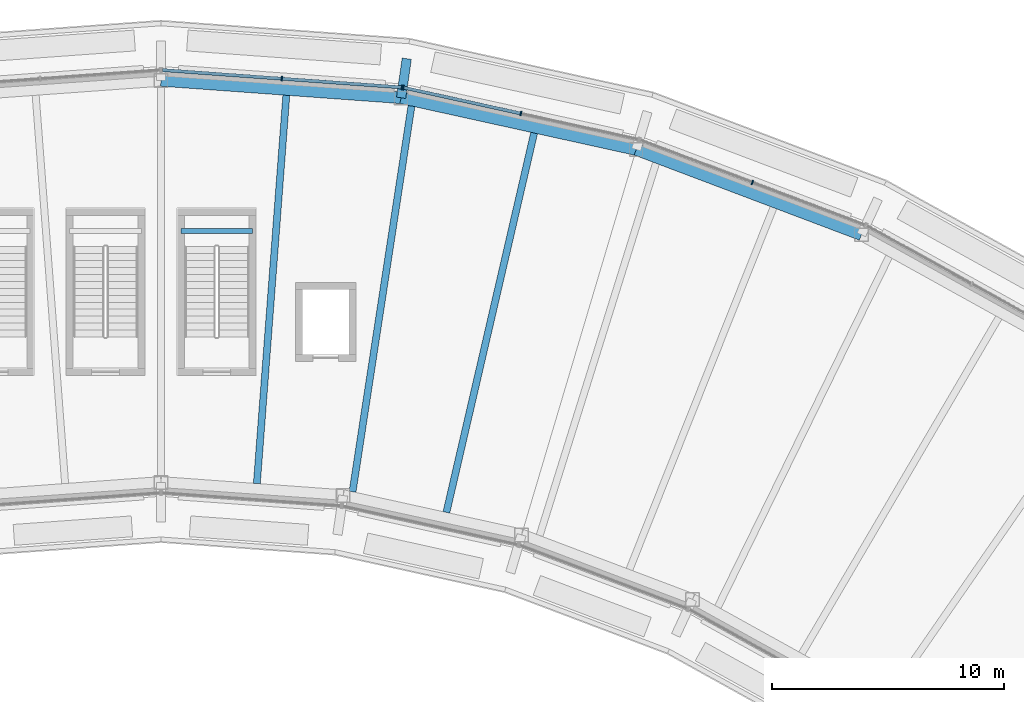
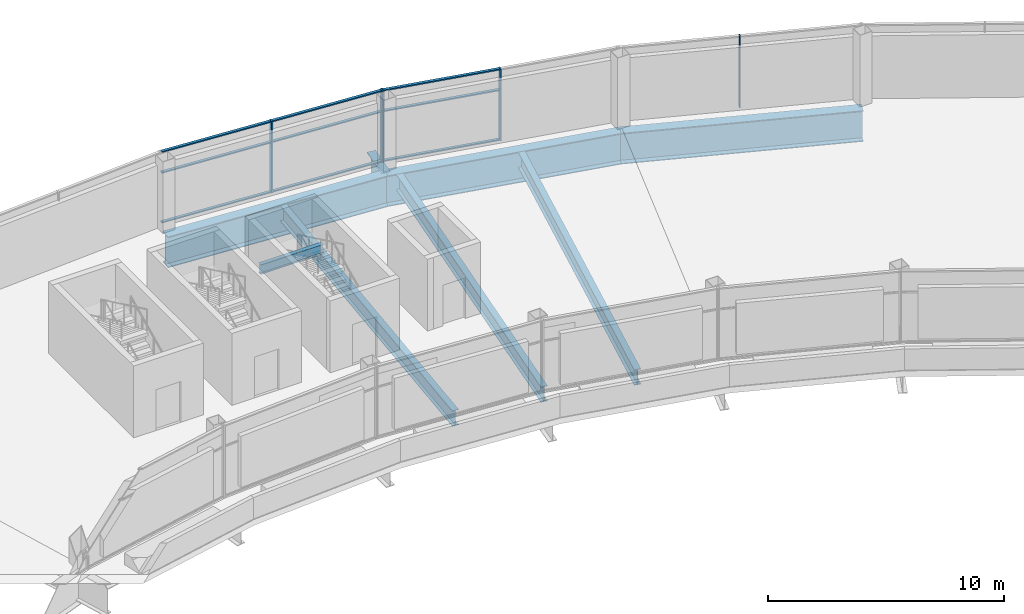
# One storey, part 10 of 17: 14 members, 8 beams, 3 elements without a shape of their own.
"""IFC4 building model written with IfcOpenShell, lengths in metres."""

from ifc_helpers import new_model, si_unit, direction, frame, origin, origin_2d, place, context, subcontext, project, spatial, rectangle, i_section, extrude, material, layer, layer_set, material_profile, profile_set, type_object, element, aggregate, save


model = new_model("IFC4")

# Units and contexts
model_context = context("Model", 3, precision=1e-05, world=origin(), true_north=direction((0.0, 1.0)))
body_context = subcontext(model_context, "Body", "Model", "MODEL_VIEW")
ifc_project = project(units=[si_unit("LENGTHUNIT", "METRE"), si_unit("AREAUNIT", "SQUARE_METRE"), si_unit("VOLUMEUNIT", "CUBIC_METRE"), si_unit("PLANEANGLEUNIT", "RADIAN"), si_unit("MASSUNIT", "GRAM", prefix="KILO")], contexts=[model_context])

# Site, building, storey
site_placement = place(None, origin())
site = spatial("IfcSite", under=ifc_project, at=site_placement, CompositionType="ELEMENT")
building_placement = place(site_placement, origin())
building = spatial("IfcBuilding", under=site, at=building_placement, Name="Tuul Gate Civic Tower", CompositionType="ELEMENT")
storey_placement = place(building_placement, frame((0.0, 0.0, 360.10009765625)))
storey = spatial("IfcBuildingStorey", under=building, at=storey_placement, Name="Crown tier 1 lower", CompositionType="ELEMENT", Elevation=360.10009765625)

# Curtain wall, member
ifc_material_1 = material(Name="Aluminium", Category="aluminium")
ifc_layer = layer(ifc_material_1, 0.199951171875)
ifc_layer_set = layer_set([ifc_layer], Name="Aluminium")
curtain_wall_type = type_object("IfcCurtainWallType", Name="Curtain wall CW5", PredefinedType="NOTDEFINED", material=ifc_layer_set)
curtain_wall_1_placement = place(storey_placement, origin())
curtain_wall_1 = element("IfcCurtainWall", 1, at=curtain_wall_1_placement, inside=storey, type_object=curtain_wall_type, Name="Curtain wall CW5", PredefinedType="NOTDEFINED")
ifc_material_2 = material(Name="Aluminium", Category="aluminium")
ifc_material_profile_1 = material_profile(ifc_material_2, rectangle(XDim=0.199951171875, YDim=0.06005859375, at=origin_2d()), Name="CW5 mullion")
ifc_profile_set_1 = profile_set([ifc_material_profile_1], Name="Aluminium")
member_type_1 = type_object("IfcMemberType", Name="CW5 mullion", PredefinedType="MULLION", material=ifc_profile_set_1)
member_1_placement = place(storey_placement, frame((27.71337890625, 7.42041015625, 0.0), z_axis=(0.0, 0.0, 1.0), x_axis=(-0.353690785552, -0.935362404748, 0.0)))
member_1 = element("IfcMember", 2, at=member_1_placement, type_object=member_type_1, Name="Mullion", PredefinedType="MULLION", context=body_context, shape_type="SweptSolid", body=[
    extrude(rectangle(XDim=0.199951171875, YDim=0.06005859375, at=origin_2d()), origin(), (0.0, 0.0, 1.0), 3.699951171875),
])
aggregate(curtain_wall_1, [member_1])

# Curtain wall, members
curtain_wall_2_placement = place(storey_placement, origin())
curtain_wall_2 = element("IfcCurtainWall", 3, at=curtain_wall_2_placement, inside=storey, type_object=curtain_wall_type, Name="Curtain wall CW5", PredefinedType="NOTDEFINED")
member_2_placement = place(storey_placement, frame((17.721435546875, 10.39404296875, 0.0), z_axis=(0.0, 0.0, 1.0), x_axis=(-0.215268775226, -0.976554839429, 0.0)))
member_2 = element("IfcMember", 4, at=member_2_placement, type_object=member_type_1, Name="Mullion", PredefinedType="MULLION", context=body_context, shape_type="SweptSolid", body=[
    extrude(rectangle(XDim=0.199951171875, YDim=0.06005859375, at=origin_2d()), origin(), (0.0, 0.0, 1.0), 3.699951171875),
])
member_3_placement = place(storey_placement, frame((12.647216796875, 11.512451171875, 0.0), z_axis=(0.0, 0.0, 1.0), x_axis=(-0.215268775226, -0.976554839429, 0.0)))
member_3 = element("IfcMember", 5, at=member_3_placement, type_object=member_type_1, Name="Mullion", PredefinedType="MULLION", context=body_context, shape_type="SweptSolid", body=[
    extrude(rectangle(XDim=0.199951171875, YDim=0.06005859375, at=origin_2d()), origin(), (0.0, 0.0, 1.0), 3.699951171875),
])

curtain_wall_3_placement = place(storey_placement, origin())
curtain_wall_3 = element("IfcCurtainWall", 6, at=curtain_wall_3_placement, inside=storey, type_object=curtain_wall_type, Name="Curtain wall CW5", PredefinedType="NOTDEFINED")
member_4_placement = place(storey_placement, frame((12.588134765625, 11.521240234375, 0.0), z_axis=(0.0, 0.0, 1.0), x_axis=(-0.072225988978, -0.997388292751, 0.0)))
member_4 = element("IfcMember", 7, at=member_4_placement, type_object=member_type_1, Name="Mullion", PredefinedType="MULLION", context=body_context, shape_type="SweptSolid", body=[
    extrude(rectangle(XDim=0.199951171875, YDim=0.06005859375, at=origin_2d()), origin(), (0.0, 0.0, 1.0), 3.699951171875),
])
member_5_placement = place(storey_placement, frame((7.405029296875, 11.896484375, 0.0), z_axis=(0.0, 0.0, 1.0), x_axis=(-0.072225988978, -0.997388292751, 0.0)))
member_5 = element("IfcMember", 8, at=member_5_placement, type_object=member_type_1, Name="Mullion", PredefinedType="MULLION", context=body_context, shape_type="SweptSolid", body=[
    extrude(rectangle(XDim=0.199951171875, YDim=0.06005859375, at=origin_2d()), origin(), (0.0, 0.0, 1.0), 3.699951171875),
])

# Member
ifc_material_3 = material(Name="Aluminium", Category="aluminium")
ifc_material_profile_2 = material_profile(ifc_material_3, rectangle(XDim=0.139892578125, YDim=0.06005859375, at=origin_2d()), Name="CW5 transom")
ifc_profile_set_2 = profile_set([ifc_material_profile_2], Name="Aluminium")
member_type_2 = type_object("IfcMemberType", Name="CW5 transom", PredefinedType="USERDEFINED", material=ifc_profile_set_2)
member_6_placement = place(storey_placement, frame((17.692138671875, 10.400390625, 0.02978515625), z_axis=(-0.976551409814, 0.215284332897, 0.0), x_axis=(-0.215284332897, -0.976551409814, 0.0)))
member_6 = element("IfcMember", 9, at=member_6_placement, type_object=member_type_2, Name="Transom", ObjectType="TRANSOM", PredefinedType="USERDEFINED", context=body_context, shape_type="SweptSolid", body=[
    extrude(rectangle(XDim=0.139892578125, YDim=0.06005859375, at=origin_2d()), origin(), (0.0, 0.0, 1.0), 5.135986328125),
])

member_7_placement = place(storey_placement, frame((17.692138671875, 10.400390625, 2.599853515625), z_axis=(-0.976551409814, 0.215284332897, 0.0), x_axis=(-0.215284332897, -0.976551409814, 0.0)))
member_7 = element("IfcMember", 10, at=member_7_placement, type_object=member_type_2, Name="Transom", ObjectType="TRANSOM", PredefinedType="USERDEFINED", context=body_context, shape_type="SweptSolid", body=[
    extrude(rectangle(XDim=0.139892578125, YDim=0.06005859375, at=origin_2d()), origin(), (0.0, 0.0, 1.0), 5.135986328125),
])

member_8_placement = place(storey_placement, frame((17.692138671875, 10.400390625, 3.669921875), z_axis=(-0.976551409814, 0.215284332897, 0.0), x_axis=(-0.215284332897, -0.976551409814, 0.0)))
member_8 = element("IfcMember", 11, at=member_8_placement, type_object=member_type_2, Name="Transom", ObjectType="TRANSOM", PredefinedType="USERDEFINED", context=body_context, shape_type="SweptSolid", body=[
    extrude(rectangle(XDim=0.139892578125, YDim=0.06005859375, at=origin_2d()), origin(), (0.0, 0.0, 1.0), 5.135986328125),
])

aggregate(curtain_wall_2, [member_2, member_3, member_6, member_7, member_8])

member_9_placement = place(storey_placement, frame((12.55810546875, 11.5234375, 0.02978515625), z_axis=(-0.997390453471, 0.072196144809, 0.0), x_axis=(-0.072196144809, -0.997390453471, 0.0)))
member_9 = element("IfcMember", 12, at=member_9_placement, type_object=member_type_2, Name="Transom", ObjectType="TRANSOM", PredefinedType="USERDEFINED", context=body_context, shape_type="SweptSolid", body=[
    extrude(rectangle(XDim=0.139892578125, YDim=0.06005859375, at=origin_2d()), origin(), (0.0, 0.0, 1.0), 5.13671875),
])

member_10_placement = place(storey_placement, frame((12.55810546875, 11.5234375, 2.599853515625), z_axis=(-0.997390453471, 0.072196144809, 0.0), x_axis=(-0.072196144809, -0.997390453471, 0.0)))
member_10 = element("IfcMember", 13, at=member_10_placement, type_object=member_type_2, Name="Transom", ObjectType="TRANSOM", PredefinedType="USERDEFINED", context=body_context, shape_type="SweptSolid", body=[
    extrude(rectangle(XDim=0.139892578125, YDim=0.06005859375, at=origin_2d()), origin(), (0.0, 0.0, 1.0), 5.13671875),
])

member_11_placement = place(storey_placement, frame((12.55810546875, 11.5234375, 3.669921875), z_axis=(-0.997390453471, 0.072196144809, 0.0), x_axis=(-0.072196144809, -0.997390453471, 0.0)))
member_11 = element("IfcMember", 14, at=member_11_placement, type_object=member_type_2, Name="Transom", ObjectType="TRANSOM", PredefinedType="USERDEFINED", context=body_context, shape_type="SweptSolid", body=[
    extrude(rectangle(XDim=0.139892578125, YDim=0.06005859375, at=origin_2d()), origin(), (0.0, 0.0, 1.0), 5.13671875),
])

member_12_placement = place(storey_placement, frame((7.375, 11.898681640625, 0.02978515625), z_axis=(-0.99738678185, 0.072246850382, 0.0), x_axis=(-0.072246850382, -0.99738678185, 0.0)))
member_12 = element("IfcMember", 15, at=member_12_placement, type_object=member_type_2, Name="Transom", ObjectType="TRANSOM", PredefinedType="USERDEFINED", context=body_context, shape_type="SweptSolid", body=[
    extrude(rectangle(XDim=0.139892578125, YDim=0.06005859375, at=origin_2d()), origin(), (0.0, 0.0, 1.0), 5.136474609375),
])

member_13_placement = place(storey_placement, frame((7.375, 11.898681640625, 2.599853515625), z_axis=(-0.99738678185, 0.072246850382, 0.0), x_axis=(-0.072246850382, -0.99738678185, 0.0)))
member_13 = element("IfcMember", 16, at=member_13_placement, type_object=member_type_2, Name="Transom", ObjectType="TRANSOM", PredefinedType="USERDEFINED", context=body_context, shape_type="SweptSolid", body=[
    extrude(rectangle(XDim=0.139892578125, YDim=0.06005859375, at=origin_2d()), origin(), (0.0, 0.0, 1.0), 5.136474609375),
])

member_14_placement = place(storey_placement, frame((7.375, 11.898681640625, 3.669921875), z_axis=(-0.99738678185, 0.072246850382, 0.0), x_axis=(-0.072246850382, -0.99738678185, 0.0)))
member_14 = element("IfcMember", 17, at=member_14_placement, type_object=member_type_2, Name="Transom", ObjectType="TRANSOM", PredefinedType="USERDEFINED", context=body_context, shape_type="SweptSolid", body=[
    extrude(rectangle(XDim=0.139892578125, YDim=0.06005859375, at=origin_2d()), origin(), (0.0, 0.0, 1.0), 5.136474609375),
])

aggregate(curtain_wall_3, [member_4, member_5, member_9, member_10, member_11, member_12, member_13, member_14])

# Beams
ifc_material_4 = material(Name="Steel S355", Category="steel")
ifc_material_profile_3 = material_profile(ifc_material_4, i_section(OverallWidth=0.39990234375, OverallDepth=1.5, WebThickness=0.02490234375, FlangeThickness=0.0400390625, at=origin_2d()), Name="PG1500x400x25x40")
ifc_profile_set_3 = profile_set([ifc_material_profile_3], Name="Steel S355")
beam_type_1 = type_object("IfcBeamType", Name="STR-FLOOR BEAM-PG1500x400x25x40", PredefinedType="BEAM", material=ifc_profile_set_3)
beam_1_placement = place(storey_placement, frame((12.7978515625, 12.759033203125, -1.050048828125), z_axis=(-0.144207567748, -0.989547460915, 0.0), x_axis=(0.989547460915, -0.144207567748, 0.0)))
element("IfcBeam", 18, at=beam_1_placement, inside=storey, type_object=beam_type_1, Name="Ring girder stub", PredefinedType="BEAM", context=body_context, shape_type="SweptSolid", body=[
    extrude(i_section(OverallWidth=0.39990234375, OverallDepth=1.5, WebThickness=0.02490234375, FlangeThickness=0.0400390625, at=origin_2d()), origin(), (0.0, 0.0, 1.0), 1.704833984375),
])
ifc_material_5 = material(Name="Steel S355", Category="steel")
ifc_material_profile_4 = material_profile(ifc_material_5, i_section(OverallWidth=0.199951171875, OverallDepth=0.5, WebThickness=0.010009765625, FlangeThickness=0.01611328125, at=origin_2d()), Name="PG500x200x10x16")
ifc_profile_set_4 = profile_set([ifc_material_profile_4], Name="Steel S355")
beam_type_2 = type_object("IfcBeamType", Name="STR-FLOOR BEAM-PG500x200x10x16", PredefinedType="BEAM", material=ifc_profile_set_4)
beam_2_placement = place(storey_placement, frame((3.050048828125, 5.324951171875, 1.5498046875), z_axis=(1.0, 0.0, 0.0), x_axis=(0.0, 1.0, 0.0)))
element("IfcBeam", 19, at=beam_2_placement, inside=storey, type_object=beam_type_2, Name="Landing support beam", PredefinedType="BEAM", context=body_context, shape_type="SweptSolid", body=[
    extrude(i_section(OverallWidth=0.199951171875, OverallDepth=0.5, WebThickness=0.010009765625, FlangeThickness=0.01611328125, at=origin_2d()), origin(), (0.0, 0.0, 1.0), 3.099853515625),
])
ifc_material_6 = material(Name="Steel S355", Category="steel")
ifc_material_profile_5 = material_profile(ifc_material_6, i_section(OverallWidth=0.300048828125, OverallDepth=0.800048828125, WebThickness=0.013916015625, FlangeThickness=0.02490234375, at=origin_2d()), Name="PG800x300x14x25")
ifc_profile_set_5 = profile_set([ifc_material_profile_5], Name="Steel S355")
beam_type_3 = type_object("IfcBeamType", Name="STR-FLOOR BEAM-PG800x300x14x25", PredefinedType="BEAM", material=ifc_profile_set_5)
beam_3_placement = place(storey_placement, frame((14.50732421875, -6.817626953125, -0.7001953125), z_axis=(0.22531584645, 0.974285773959, 0.0), x_axis=(-0.974285773959, 0.22531584645, 0.0)))
element("IfcBeam", 20, at=beam_3_placement, inside=storey, type_object=beam_type_3, Name="Floor beam", PredefinedType="BEAM", context=body_context, shape_type="SweptSolid", body=[
    extrude(i_section(OverallWidth=0.300048828125, OverallDepth=0.800048828125, WebThickness=0.013916015625, FlangeThickness=0.02490234375, at=origin_2d()), origin(), (0.0, 0.0, 1.0), 16.800537109375),
])
beam_4_placement = place(storey_placement, frame((10.458984375, -5.925537109375, -0.7001953125), z_axis=(0.150930336798, 0.988544401347, 0.0), x_axis=(-0.988544401347, 0.150930336798, 0.0)))
element("IfcBeam", 21, at=beam_4_placement, inside=storey, type_object=beam_type_3, Name="Floor beam", PredefinedType="BEAM", context=body_context, shape_type="SweptSolid", body=[
    extrude(i_section(OverallWidth=0.300048828125, OverallDepth=0.800048828125, WebThickness=0.013916015625, FlangeThickness=0.02490234375, at=origin_2d()), origin(), (0.0, 0.0, 1.0), 16.835693359375),
])
beam_5_placement = place(storey_placement, frame((6.32861328125, -5.57177734375, -0.7001953125), z_axis=(0.075669623835, 0.997132944009, 0.0), x_axis=(-0.997132944009, 0.075669623835, 0.0)))
element("IfcBeam", 22, at=beam_5_placement, inside=storey, type_object=beam_type_3, Name="Floor beam", PredefinedType="BEAM", context=body_context, shape_type="SweptSolid", body=[
    extrude(i_section(OverallWidth=0.300048828125, OverallDepth=0.800048828125, WebThickness=0.013916015625, FlangeThickness=0.02490234375, at=origin_2d()), origin(), (0.0, 0.0, 1.0), 16.7998046875),
])
ifc_material_7 = material(Name="Steel S355", Category="steel")
ifc_material_profile_6 = material_profile(ifc_material_7, i_section(OverallWidth=0.5, OverallDepth=1.60009765625, WebThickness=0.02490234375, FlangeThickness=0.044921875, at=origin_2d()), Name="PG1600x500x25x45")
ifc_profile_set_6 = profile_set([ifc_material_profile_6], Name="Steel S355")
beam_type_4 = type_object("IfcBeamType", Name="STR-RING BEAM-PG1600x500x25x45", PredefinedType="BEAM", material=ifc_profile_set_6)
beam_6_placement = place(storey_placement, frame((32.4130859375, 5.162109375, -1.10009765625), z_axis=(-0.935366550568, 0.353679821417, 0.0), x_axis=(-0.353679821417, -0.935366550568, 0.0)))
element("IfcBeam", 23, at=beam_6_placement, inside=storey, type_object=beam_type_4, Name="Ring girder", PredefinedType="BEAM", context=body_context, shape_type="SweptSolid", body=[
    extrude(i_section(OverallWidth=0.5, OverallDepth=1.60009765625, WebThickness=0.02490234375, FlangeThickness=0.044921875, at=origin_2d()), origin(), (0.0, 0.0, 1.0), 10.387451171875),
])
beam_7_placement = place(storey_placement, frame((22.697021484375, 8.8359375, -1.10009765625), z_axis=(-0.9765599635, 0.215245528847, 0.0), x_axis=(-0.215245528847, -0.9765599635, 0.0)))
element("IfcBeam", 24, at=beam_7_placement, inside=storey, type_object=beam_type_4, Name="Ring girder", PredefinedType="BEAM", context=body_context, shape_type="SweptSolid", body=[
    extrude(i_section(OverallWidth=0.5, OverallDepth=1.60009765625, WebThickness=0.02490234375, FlangeThickness=0.044921875, at=origin_2d()), origin(), (0.0, 0.0, 1.0), 10.388427734375),
])
beam_8_placement = place(storey_placement, frame((12.552001953125, 11.072021484375, -1.10009765625), z_axis=(-0.997389876379, 0.07220411689, 0.0), x_axis=(-0.07220411689, -0.997389876379, 0.0)))
element("IfcBeam", 25, at=beam_8_placement, inside=storey, type_object=beam_type_4, Name="Ring girder", PredefinedType="BEAM", context=body_context, shape_type="SweptSolid", body=[
    extrude(i_section(OverallWidth=0.5, OverallDepth=1.60009765625, WebThickness=0.02490234375, FlangeThickness=0.044921875, at=origin_2d()), origin(), (0.0, 0.0, 1.0), 10.38720703125),
])

save(model, "model.ifc")
